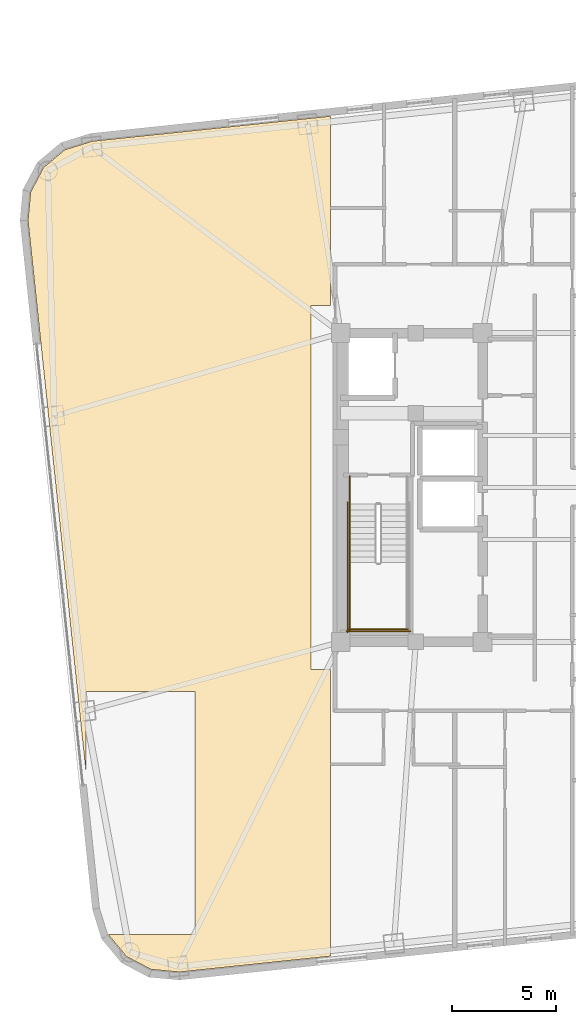
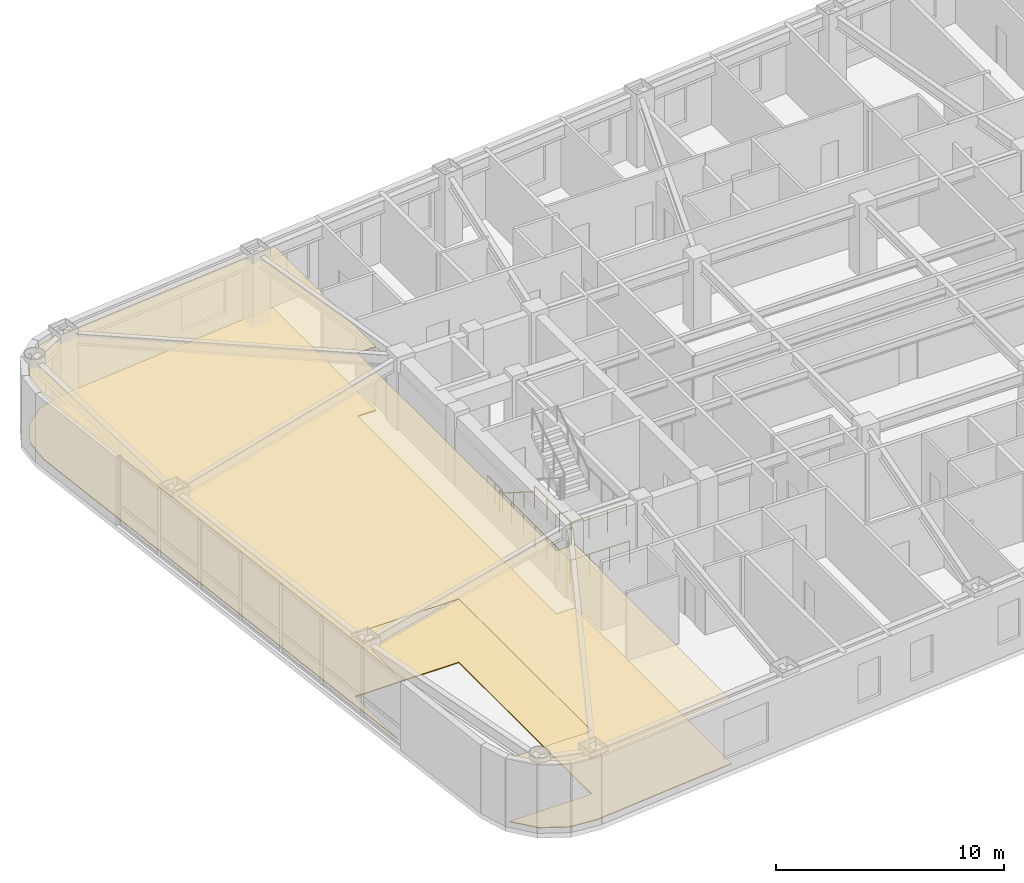
# One storey, part 13 of 15: 6 railings, 2 coverings.
"""IFC4 building model written with IfcOpenShell, lengths in metres."""

from ifc_helpers import new_model, si_unit, direction, frame, origin, origin_2d, place, context, subcontext, project, spatial, polyline, circle, outline, extrude, material, layer, layer_set, type_object, element, save


model = new_model("IFC4")

# Units and contexts
model_context = context("Model", 3, precision=1e-05, world=origin(), true_north=direction((0.0, 1.0)))
body_context = subcontext(model_context, "Body", "Model", "MODEL_VIEW")
ifc_project = project(units=[si_unit("LENGTHUNIT", "METRE"), si_unit("AREAUNIT", "SQUARE_METRE"), si_unit("VOLUMEUNIT", "CUBIC_METRE"), si_unit("PLANEANGLEUNIT", "RADIAN"), si_unit("MASSUNIT", "GRAM", prefix="KILO")], contexts=[model_context])

# Site, building, storey
site_placement = place(None, origin())
site = spatial("IfcSite", under=ifc_project, at=site_placement, CompositionType="ELEMENT")
building_placement = place(site_placement, origin())
building = spatial("IfcBuilding", under=site, at=building_placement, Name="Voryun Gate Residences", CompositionType="ELEMENT")
storey_placement = place(building_placement, frame((0.0, 0.0, 148.199951171875)))
storey = spatial("IfcBuildingStorey", under=building, at=storey_placement, Name="L36", CompositionType="ELEMENT", Elevation=148.199951171875)

# Coverings
ifc_material_1 = material(Name="Gypsum acoustic ceiling")
ifc_layer_1 = layer(ifc_material_1, 0.02490234375, Name="COV_CEILING_ACOUSTIC")
ifc_layer_set_1 = layer_set([ifc_layer_1], Name="Gypsum acoustic ceiling")
covering_type_1 = type_object("IfcCoveringType", Name="COV_CEILING_ACOUSTIC", PredefinedType="CEILING", material=ifc_layer_set_1)
covering_1_placement = place(storey_placement, frame((0.0, 0.0, 3.400146484375)))
element("IfcCovering", 1, at=covering_1_placement, inside=storey, type_object=covering_type_1, Name="Acoustic ceiling CLG-L36-01", PredefinedType="CEILING", context=body_context, shape_type="SweptSolid", body=[
    extrude(outline(polyline([(-30.318603515625, -21.45361328125), (-30.3291015625, -21.419921875), (-26.179931640625, -21.419921875), (-26.179931640625, -9.780029296875), (-31.419921875, -9.780029296875), (-31.419921875, -13.528564453125), (-34.18701171875, 12.796630859375), (-34.0615234375, 14.15966796875), (-33.4423828125, 15.3369140625), (-32.41943359375, 16.1875), (-31.1123046875, 16.593505859375), (-19.68994140625, 17.7939453125), (-19.68994140625, 8.719970703125), (-20.6201171875, 8.719970703125), (-20.6201171875, -8.719970703125), (-19.68994140625, -8.719970703125), (-19.68994140625, -22.460205078125), (-26.927734375, -23.220947265625), (-28.290771484375, -23.095703125), (-29.468017578125, -22.476318359375), (-30.318603515625, -21.45361328125)])), origin(), (0.0, 0.0, 1.0), 0.02490234375),
])
ifc_material_2 = material(Name="Architectural oak flooring")
ifc_layer_2 = layer(ifc_material_2, 0.044921875, Name="COV_FLOOR_ONDOL_OAK")
ifc_layer_set_2 = layer_set([ifc_layer_2], Name="Architectural oak flooring")
covering_type_2 = type_object("IfcCoveringType", Name="COV_FLOOR_ONDOL_OAK", PredefinedType="FLOORING", material=ifc_layer_set_2)
covering_2_placement = place(storey_placement, origin())
element("IfcCovering", 2, at=covering_2_placement, inside=storey, type_object=covering_type_2, Name="Ondol oak floor FLR-L36-01", PredefinedType="FLOORING", context=body_context, shape_type="SweptSolid", body=[
    extrude(outline(polyline([(-30.318603515625, -21.45361328125), (-30.3291015625, -21.419921875), (-26.179931640625, -21.419921875), (-26.179931640625, -9.780029296875), (-31.419921875, -9.780029296875), (-31.419921875, -13.528564453125), (-34.18701171875, 12.796630859375), (-34.0615234375, 14.15966796875), (-33.4423828125, 15.3369140625), (-32.41943359375, 16.1875), (-31.1123046875, 16.593505859375), (-19.68994140625, 17.7939453125), (-19.68994140625, 8.719970703125), (-20.6201171875, 8.719970703125), (-20.6201171875, -8.719970703125), (-19.68994140625, -8.719970703125), (-19.68994140625, -22.460205078125), (-26.927734375, -23.220947265625), (-28.290771484375, -23.095703125), (-29.468017578125, -22.476318359375), (-30.318603515625, -21.45361328125)])), origin(), (0.0, 0.0, 1.0), 0.045166015625),
])

# Railings
ifc_material_3 = material(Name="Painted steel", Category="steel")
railing_type_1 = type_object("IfcRailingType", Name="RAIL_STAIR_GUARD_1200", PredefinedType="GUARDRAIL", material=ifc_material_3)
railing_1_placement = place(storey_placement, frame((-18.77490234375, -3.60009765625, 1.949951171875)))
element("IfcRailing", 3, at=railing_1_placement, inside=storey, type_object=railing_type_1, Name="L36 ST-W1 stair guard 3", PredefinedType="GUARDRAIL", context=body_context, shape_type="SweptSolid", body=[
    extrude(circle(Radius=0.02392578125, at=origin_2d()), frame((0.0, 0.0, 1.17578125), z_axis=(0.0, -1.0, 0.0), x_axis=(1.0, 0.0, 0.0)), (0.0, 0.0, 1.0), 3.25),
    extrude(circle(Radius=0.02099609375, at=origin_2d()), origin(), (0.0, 0.0, 1.0), 1.15185546875),
    extrude(circle(Radius=0.02099609375, at=origin_2d()), frame((0.0, -1.083251953125, 0.0)), (0.0, 0.0, 1.0), 1.15185546875),
    extrude(circle(Radius=0.02099609375, at=origin_2d()), frame((0.0, -2.166748046875, 0.0)), (0.0, 0.0, 1.0), 1.15185546875),
    extrude(circle(Radius=0.02099609375, at=origin_2d()), frame((0.0, -3.25, 0.0)), (0.0, 0.0, 1.0), 1.15185546875),
])
railing_2_placement = place(storey_placement, frame((-18.824951171875, -6.800048828125, 1.949951171875)))
element("IfcRailing", 4, at=railing_2_placement, inside=storey, type_object=railing_type_1, Name="L36 ST-W1 stair guard 5", PredefinedType="GUARDRAIL", context=body_context, shape_type="SweptSolid", body=[
    extrude(circle(Radius=0.02392578125, at=origin_2d()), frame((0.0, 0.0, 1.17578125), z_axis=(1.0, 0.0, 0.0), x_axis=(0.0, 1.0, 0.0)), (0.0, 0.0, 1.0), 2.849853515625),
    extrude(circle(Radius=0.02099609375, at=origin_2d()), origin(), (0.0, 0.0, 1.0), 1.15185546875),
    extrude(circle(Radius=0.02099609375, at=origin_2d()), frame((0.949951171875, 0.0, 0.0)), (0.0, 0.0, 1.0), 1.15185546875),
    extrude(circle(Radius=0.02099609375, at=origin_2d()), frame((1.89990234375, 0.0, 0.0)), (0.0, 0.0, 1.0), 1.15185546875),
    extrude(circle(Radius=0.02099609375, at=origin_2d()), frame((2.849853515625, 0.0, 0.0)), (0.0, 0.0, 1.0), 1.15185546875),
])
railing_3_placement = place(storey_placement, frame((-18.77490234375, 0.550048828125, 0.0)))
element("IfcRailing", 5, at=railing_3_placement, inside=storey, type_object=railing_type_1, Name="L36 ST-W1 stair guard 8", PredefinedType="GUARDRAIL", context=body_context, shape_type="SweptSolid", body=[
    extrude(circle(Radius=0.02392578125, at=origin_2d()), frame((0.0, 0.0, 1.17578125), z_axis=(0.0, -1.0, 0.0), x_axis=(1.0, 0.0, 0.0)), (0.0, 0.0, 1.0), 1.35009765625),
    extrude(circle(Radius=0.02099609375, at=origin_2d()), origin(), (0.0, 0.0, 1.0), 1.15185546875),
    extrude(circle(Radius=0.02099609375, at=origin_2d()), frame((0.0, -0.675048828125, 0.0)), (0.0, 0.0, 1.0), 1.15185546875),
    extrude(circle(Radius=0.02099609375, at=origin_2d()), frame((0.0, -1.35009765625, 0.0)), (0.0, 0.0, 1.0), 1.15185546875),
])
railing_4_placement = place(storey_placement, frame((-18.875, -0.699951171875, 0.0)))
element("IfcRailing", 6, at=railing_4_placement, inside=storey, type_object=railing_type_1, Name="L36 ST-W1 stair guard 10", PredefinedType="GUARDRAIL", context=body_context, shape_type="SweptSolid", body=[
    extrude(circle(Radius=0.02392578125, at=origin_2d()), frame((0.0, 0.0, 1.17578125), z_axis=(0.0, -1.0, 0.0), x_axis=(1.0, 0.0, 0.0)), (0.0, 0.0, 1.0), 6.25),
    extrude(circle(Radius=0.02099609375, at=origin_2d()), origin(), (0.0, 0.0, 1.0), 1.15185546875),
    extrude(circle(Radius=0.02099609375, at=origin_2d()), frame((0.0, -1.041748046875, 0.0)), (0.0, 0.0, 1.0), 1.15185546875),
    extrude(circle(Radius=0.02099609375, at=origin_2d()), frame((0.0, -2.083251953125, 0.0)), (0.0, 0.0, 1.0), 1.15185546875),
    extrude(circle(Radius=0.02099609375, at=origin_2d()), frame((0.0, -3.125, 0.0)), (0.0, 0.0, 1.0), 1.15185546875),
    extrude(circle(Radius=0.02099609375, at=origin_2d()), frame((0.0, -4.166748046875, 0.0)), (0.0, 0.0, 1.0), 1.15185546875),
    extrude(circle(Radius=0.02099609375, at=origin_2d()), frame((0.0, -5.208251953125, 0.0)), (0.0, 0.0, 1.0), 1.15185546875),
    extrude(circle(Radius=0.02099609375, at=origin_2d()), frame((0.0, -6.25, 0.0)), (0.0, 0.0, 1.0), 1.15185546875),
])
railing_5_placement = place(storey_placement, frame((-18.925048828125, -6.89990234375, 0.0)))
element("IfcRailing", 7, at=railing_5_placement, inside=storey, type_object=railing_type_1, Name="L36 ST-W1 stair guard 12", PredefinedType="GUARDRAIL", context=body_context, shape_type="SweptSolid", body=[
    extrude(circle(Radius=0.02392578125, at=origin_2d()), frame((0.0, 0.0, 1.17578125), z_axis=(1.0, 0.0, 0.0), x_axis=(0.0, 1.0, 0.0)), (0.0, 0.0, 1.0), 3.050048828125),
    extrude(circle(Radius=0.02099609375, at=origin_2d()), origin(), (0.0, 0.0, 1.0), 1.15185546875),
    extrude(circle(Radius=0.02099609375, at=origin_2d()), frame((1.0166015625, 0.0, 0.0)), (0.0, 0.0, 1.0), 1.15185546875),
    extrude(circle(Radius=0.02099609375, at=origin_2d()), frame((2.033447265625, 0.0, 0.0)), (0.0, 0.0, 1.0), 1.15185546875),
    extrude(circle(Radius=0.02099609375, at=origin_2d()), frame((3.050048828125, 0.0, 0.0)), (0.0, 0.0, 1.0), 1.15185546875),
])
ifc_material_4 = material(Name="Painted steel", Category="steel")
railing_type_2 = type_object("IfcRailingType", Name="RAIL_STAIR_HANDRAIL_900", PredefinedType="HANDRAIL", material=ifc_material_4)
railing_6_placement = place(storey_placement, frame((-18.77490234375, -0.800048828125, 0.17724609375)))
element("IfcRailing", 8, at=railing_6_placement, inside=storey, type_object=railing_type_2, Name="L36 ST-W1 stair handrail 1", PredefinedType="HANDRAIL", context=body_context, shape_type="SweptSolid", body=[
    extrude(circle(Radius=0.02392578125, at=origin_2d()), frame((0.0, 0.0, 0.8759765625), z_axis=(0.0, -0.844908973607, 0.534910110503), x_axis=(1.0, 0.0, 0.0)), (0.0, 0.0, 1.0), 3.31396484375),
    extrude(circle(Radius=0.02099609375, at=origin_2d()), origin(), (0.0, 0.0, 1.0), 0.851806640625),
    extrude(circle(Radius=0.02099609375, at=origin_2d()), frame((0.0, -0.933349609375, 0.5908203125)), (0.0, 0.0, 1.0), 0.851806640625),
    extrude(circle(Radius=0.02099609375, at=origin_2d()), frame((0.0, -1.86669921875, 1.181884765625)), (0.0, 0.0, 1.0), 0.851806640625),
    extrude(circle(Radius=0.02099609375, at=origin_2d()), frame((0.0, -2.800048828125, 1.772705078125)), (0.0, 0.0, 1.0), 0.851806640625),
])

save(model, "model.ifc")
